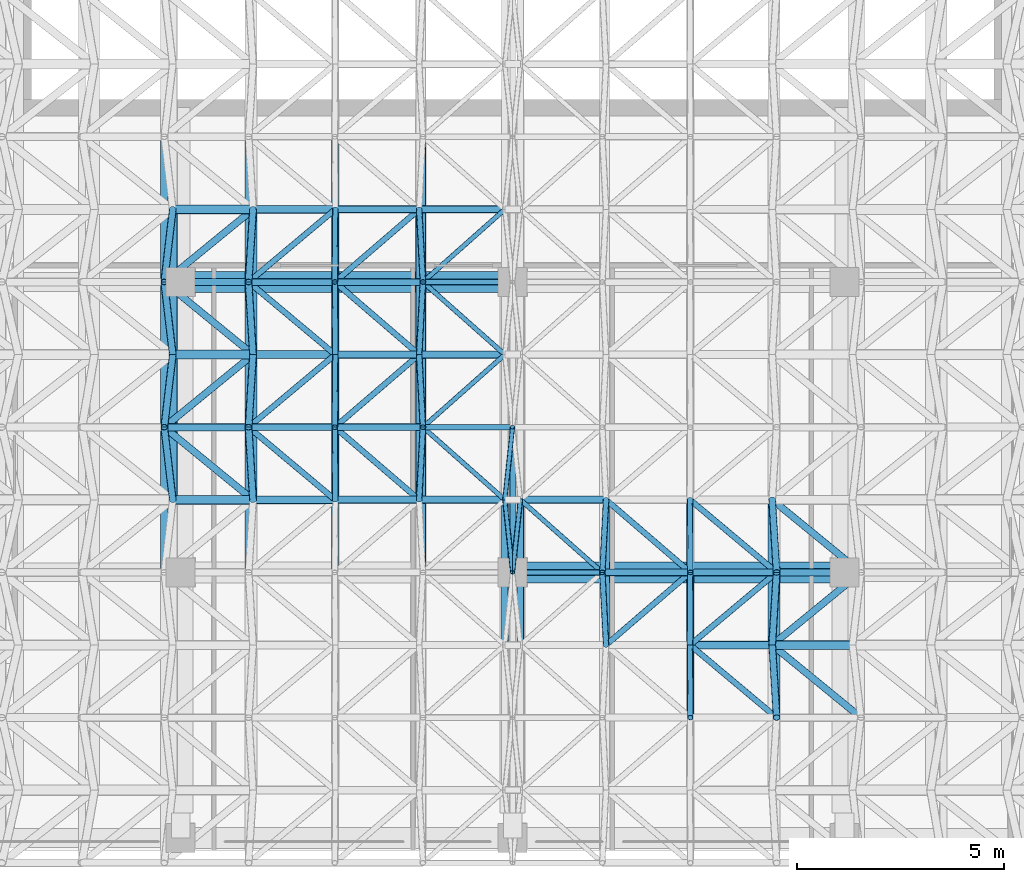
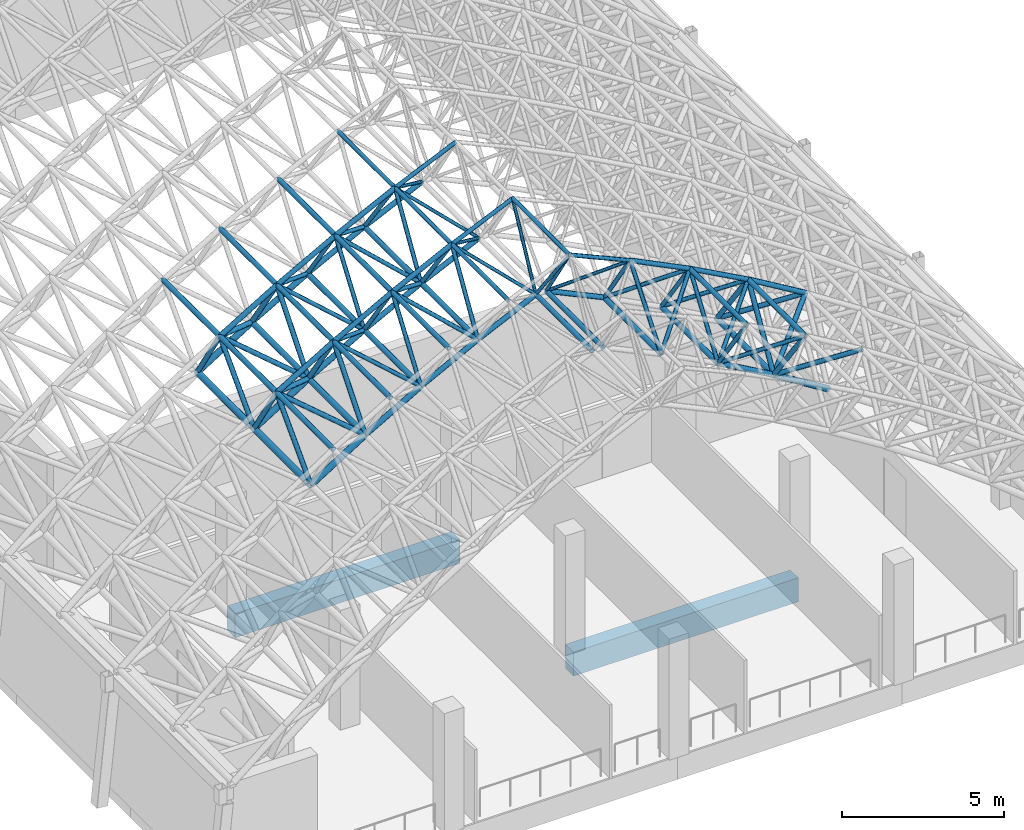
# One storey, part 41 of 141: 107 members, 2 beams.
"""IFC4 building model written with IfcOpenShell, lengths in metres."""

from ifc_helpers import new_model, si_unit, direction, frame, origin, origin_2d, place, context, subcontext, project, spatial, rectangle, hollow_circle, extrude, material, material_profile, profile_set, type_object, element, save


model = new_model("IFC4")

# Units and contexts
model_context = context("Model", 3, precision=1e-05, world=origin(), true_north=direction((0.0, 1.0)))
body_context = subcontext(model_context, "Body", "Model", "MODEL_VIEW")
ifc_project = project(units=[si_unit("LENGTHUNIT", "METRE"), si_unit("AREAUNIT", "SQUARE_METRE"), si_unit("VOLUMEUNIT", "CUBIC_METRE"), si_unit("PLANEANGLEUNIT", "RADIAN"), si_unit("MASSUNIT", "GRAM", prefix="KILO")], contexts=[model_context])

# Site, building, storey
site_placement = place(None, origin())
site = spatial("IfcSite", under=ifc_project, at=site_placement, CompositionType="ELEMENT")
building_placement = place(site_placement, origin())
building = spatial("IfcBuilding", under=site, at=building_placement, Name="Lantern Court Media Centre", CompositionType="ELEMENT")
storey_placement = place(building_placement, frame((0.0, 0.0, 9.60009765625)))
storey = spatial("IfcBuildingStorey", under=building, at=storey_placement, Name="L02", CompositionType="ELEMENT", Elevation=9.60009765625)

# Beams
ifc_material_1 = material(Name="Concrete C35", Category="concrete")
ifc_material_profile_1 = material_profile(ifc_material_1, rectangle(XDim=0.5, YDim=0.89990234375, at=origin_2d()), Name="RC 500x900")
ifc_profile_set_1 = profile_set([ifc_material_profile_1], Name="Concrete C35")
beam_type = type_object("IfcBeamType", Name="RC BEAM 500x900", PredefinedType="BEAM", material=ifc_profile_set_1)
for number, where, z_axis, x_axis, name in (
    (1, (88.0, 5.0, -0.4501953125), (1.0, 0.0, 0.0), (0.0, 1.0, 0.0), "HB-V2-L02-FX1-2"),
    (2, (80.0, 12.0, -0.4501953125), (1.0, 0.0, 0.0), (0.0, 1.0, 0.0), "HB-V2-L02-FX2-1"),
):
    element("IfcBeam", number, at=place(storey_placement, frame(where, z_axis=z_axis, x_axis=x_axis)), inside=storey, type_object=beam_type, Name=name, PredefinedType="BEAM", context=body_context, shape_type="SweptSolid", body=[
        extrude(rectangle(XDim=0.5, YDim=0.89990234375, at=origin_2d()), origin(), (0.0, 0.0, 1.0), 8.0),
    ])

# Members
ifc_material_2 = material(Name="Steel S355J2 (EN 10025-2)", Category="steel")
ifc_material_profile_2 = material_profile(ifc_material_2, hollow_circle(Radius=0.084228515625, WallThickness=0.00634765625, at=origin_2d()), Name="Studio Hall bottom CHS 168.3x6.3")
ifc_profile_set_2 = profile_set([ifc_material_profile_2], Name="Steel S355J2 (EN 10025-2)")
member_type_1 = type_object("IfcMemberType", Name="Studio Hall bottom CHS 168.3x6.3", PredefinedType="CHORD", material=ifc_profile_set_2)
for number, where, z_axis, x_axis, name in (
    (3, (87.812255859375, 3.25, 12.31884765625), (0.0, 1.0, 0.0), (-1.0, 0.0, 0.0), "Studio Hall bottom chord 08-02"),
    (4, (88.187744140625, 3.25, 12.31884765625), (0.0, 1.0, 0.0), (-1.0, 0.0, 0.0), "Studio Hall bottom chord 09-02"),
):
    element("IfcMember", number, at=place(storey_placement, frame(where, z_axis=z_axis, x_axis=x_axis)), inside=storey, type_object=member_type_1, Name=name, PredefinedType="CHORD", context=body_context, shape_type="SweptSolid", body=[
        extrude(hollow_circle(Radius=0.084228515625, WallThickness=0.00634765625, at=origin_2d()), origin(), (0.0, 0.0, 1.0), 3.5),
    ])
ifc_material_profile_3 = material_profile(ifc_material_2, hollow_circle(Radius=0.0888671875, WallThickness=0.008056640625, at=origin_2d()), Name="Studio Hall bottom CHS 177.8x8")
ifc_profile_set_3 = profile_set([ifc_material_profile_3], Name="Steel S355J2 (EN 10025-2)")
member_type_2 = type_object("IfcMemberType", Name="Studio Hall bottom CHS 177.8x8", PredefinedType="CHORD", material=ifc_profile_set_3)
for number, where, z_axis, x_axis, name in (
    (5, (90.251708984375, 3.25, 11.3466796875), (0.0, 1.0, 0.0), (-1.0, 0.0, 0.0), "Studio Hall bottom chord 10-02"),
    (6, (92.275634765625, 3.25, 10.2939453125), (0.0, 1.0, 0.0), (-1.0, 0.0, 0.0), "Studio Hall bottom chord 11-02"),
    (7, (83.724365234375, 6.75, 10.2939453125), (0.0, 1.0, 0.0), (-1.0, 0.0, 0.0), "Studio Hall bottom chord 06-03"),
    (8, (85.748291015625, 6.75, 11.3466796875), (0.0, 1.0, 0.0), (-1.0, 0.0, 0.0), "Studio Hall bottom chord 07-03"),
    (9, (83.724365234375, 10.25, 10.2939453125), (0.0, 1.0, 0.0), (-1.0, 0.0, 0.0), "Studio Hall bottom chord 06-04"),
    (10, (85.748291015625, 10.25, 11.3466796875), (0.0, 1.0, 0.0), (-1.0, 0.0, 0.0), "Studio Hall bottom chord 07-04"),
):
    element("IfcMember", number, at=place(storey_placement, frame(where, z_axis=z_axis, x_axis=x_axis)), inside=storey, type_object=member_type_2, Name=name, PredefinedType="CHORD", context=body_context, shape_type="SweptSolid", body=[
        extrude(hollow_circle(Radius=0.0888671875, WallThickness=0.008056640625, at=origin_2d()), origin(), (0.0, 0.0, 1.0), 3.5),
    ])
member_1_placement = place(storey_placement, frame((83.724365234375, 6.75, 10.2939453125), z_axis=(0.887164230848, 0.0, 0.461453819471), x_axis=(0.0, 1.0, 0.0)))
element("IfcMember", 11, at=member_1_placement, inside=storey, type_object=member_type_2, Name="Studio Hall bottom chord 06-03 across", PredefinedType="CHORD", context=body_context, shape_type="SweptSolid", body=[
    extrude(hollow_circle(Radius=0.0888671875, WallThickness=0.008056640625, at=origin_2d()), origin(), (0.0, 0.0, 1.0), 2.28125),
])
for number, where, z_axis, x_axis, name in (
    (12, (85.748291015625, 6.75, 11.3466796875), (0.904668285171, 0.0, 0.426116526088), (0.0, 1.0, 0.0), "Studio Hall bottom chord 07-03 across"),
    (13, (88.187744140625, 6.75, 12.31884765625), (0.904668285171, 0.0, -0.426116526088), (0.0, 1.0, 0.0), "Studio Hall bottom chord 09-03 across"),
):
    element("IfcMember", number, at=place(storey_placement, frame(where, z_axis=z_axis, x_axis=x_axis)), inside=storey, type_object=member_type_2, Name=name, PredefinedType="CHORD", context=body_context, shape_type="SweptSolid", body=[
        extrude(hollow_circle(Radius=0.0888671875, WallThickness=0.008056640625, at=origin_2d()), origin(), (0.0, 0.0, 1.0), 2.281494140625),
    ])
member_2_placement = place(storey_placement, frame((83.724365234375, 10.25, 10.2939453125), z_axis=(0.887164230848, 0.0, 0.461453819471), x_axis=(0.0, 1.0, 0.0)))
element("IfcMember", 14, at=member_2_placement, inside=storey, type_object=member_type_2, Name="Studio Hall bottom chord 06-04 across", PredefinedType="CHORD", context=body_context, shape_type="SweptSolid", body=[
    extrude(hollow_circle(Radius=0.0888671875, WallThickness=0.008056640625, at=origin_2d()), origin(), (0.0, 0.0, 1.0), 2.28125),
])
member_3_placement = place(storey_placement, frame((85.748291015625, 10.25, 11.3466796875), z_axis=(0.904668285171, 0.0, 0.426116526088), x_axis=(0.0, 1.0, 0.0)))
element("IfcMember", 15, at=member_3_placement, inside=storey, type_object=member_type_2, Name="Studio Hall bottom chord 07-04 across", PredefinedType="CHORD", context=body_context, shape_type="SweptSolid", body=[
    extrude(hollow_circle(Radius=0.0888671875, WallThickness=0.008056640625, at=origin_2d()), origin(), (0.0, 0.0, 1.0), 2.281494140625),
])
member_4_placement = place(storey_placement, frame((83.724365234375, 13.75, 10.2939453125), z_axis=(0.887164230848, 0.0, 0.461453819471), x_axis=(0.0, 1.0, 0.0)))
element("IfcMember", 16, at=member_4_placement, inside=storey, type_object=member_type_2, Name="Studio Hall bottom chord 06-05 across", PredefinedType="CHORD", context=body_context, shape_type="SweptSolid", body=[
    extrude(hollow_circle(Radius=0.0888671875, WallThickness=0.008056640625, at=origin_2d()), origin(), (0.0, 0.0, 1.0), 2.28125),
])
member_5_placement = place(storey_placement, frame((85.748291015625, 13.75, 11.3466796875), z_axis=(0.904668285171, 0.0, 0.426116526088), x_axis=(0.0, 1.0, 0.0)))
element("IfcMember", 17, at=member_5_placement, inside=storey, type_object=member_type_2, Name="Studio Hall bottom chord 07-05 across", PredefinedType="CHORD", context=body_context, shape_type="SweptSolid", body=[
    extrude(hollow_circle(Radius=0.0888671875, WallThickness=0.008056640625, at=origin_2d()), origin(), (0.0, 0.0, 1.0), 2.281494140625),
])
ifc_material_profile_4 = material_profile(ifc_material_2, hollow_circle(Radius=0.096923828125, WallThickness=0.008056640625, at=origin_2d()), Name="Studio Hall bottom CHS 193.7x8")
ifc_profile_set_4 = profile_set([ifc_material_profile_4], Name="Steel S355J2 (EN 10025-2)")
member_type_3 = type_object("IfcMemberType", Name="Studio Hall bottom CHS 193.7x8", PredefinedType="CHORD", material=ifc_profile_set_4)
for number, where, z_axis, x_axis, name in (
    (18, (94.25634765625, 3.25, 9.162109375), (0.0, 1.0, 0.0), (-1.0, 0.0, 0.0), "Studio Hall bottom chord 12-02"),
    (19, (81.74365234375, 6.75, 9.162109375), (0.0, 1.0, 0.0), (-1.0, 0.0, 0.0), "Studio Hall bottom chord 05-03"),
    (20, (81.74365234375, 10.25, 9.162109375), (0.0, 1.0, 0.0), (-1.0, 0.0, 0.0), "Studio Hall bottom chord 05-04"),
):
    element("IfcMember", number, at=place(storey_placement, frame(where, z_axis=z_axis, x_axis=x_axis)), inside=storey, type_object=member_type_3, Name=name, PredefinedType="CHORD", context=body_context, shape_type="SweptSolid", body=[
        extrude(hollow_circle(Radius=0.096923828125, WallThickness=0.008056640625, at=origin_2d()), origin(), (0.0, 0.0, 1.0), 3.5),
    ])
for number, where, z_axis, x_axis, name in (
    (21, (92.275634765625, 3.25, 10.2939453125), (0.868243142124, 0.0, -0.496138938357), (0.0, 1.0, 0.0), "Studio Hall bottom chord 11-02 across"),
    (22, (81.74365234375, 6.75, 9.162109375), (0.868243142124, 0.0, 0.496138938357), (0.0, 1.0, 0.0), "Studio Hall bottom chord 05-03 across"),
    (23, (81.74365234375, 10.25, 9.162109375), (0.868243142124, 0.0, 0.496138938357), (0.0, 1.0, 0.0), "Studio Hall bottom chord 05-04 across"),
    (24, (81.74365234375, 13.75, 9.162109375), (0.868243142124, 0.0, 0.496138938357), (0.0, 1.0, 0.0), "Studio Hall bottom chord 05-05 across"),
):
    element("IfcMember", number, at=place(storey_placement, frame(where, z_axis=z_axis, x_axis=x_axis)), inside=storey, type_object=member_type_3, Name=name, PredefinedType="CHORD", context=body_context, shape_type="SweptSolid", body=[
        extrude(hollow_circle(Radius=0.096923828125, WallThickness=0.008056640625, at=origin_2d()), origin(), (0.0, 0.0, 1.0), 2.28125),
    ])
ifc_material_profile_5 = material_profile(ifc_material_2, hollow_circle(Radius=0.109619140625, WallThickness=0.010009765625, at=origin_2d()), Name="Studio Hall bottom CHS 219.1x10")
ifc_profile_set_5 = profile_set([ifc_material_profile_5], Name="Steel S355J2 (EN 10025-2)")
member_type_4 = type_object("IfcMemberType", Name="Studio Hall bottom CHS 219.1x10", PredefinedType="CHORD", material=ifc_profile_set_5)
for number, where, z_axis, x_axis, name in (
    (25, (79.80908203125, 6.75, 7.953125), (0.0, 1.0, 0.0), (-1.0, 0.0, 0.0), "Studio Hall bottom chord 04-03"),
    (26, (79.80908203125, 10.25, 7.953125), (0.0, 1.0, 0.0), (-1.0, 0.0, 0.0), "Studio Hall bottom chord 04-04"),
):
    element("IfcMember", number, at=place(storey_placement, frame(where, z_axis=z_axis, x_axis=x_axis)), inside=storey, type_object=member_type_4, Name=name, PredefinedType="CHORD", context=body_context, shape_type="SweptSolid", body=[
        extrude(hollow_circle(Radius=0.109619140625, WallThickness=0.010009765625, at=origin_2d()), origin(), (0.0, 0.0, 1.0), 3.5),
    ])
for number, where, z_axis, x_axis, name in (
    (27, (94.25634765625, 3.25, 9.162109375), (0.848022352453, 0.0, -0.529960460544), (0.0, 1.0, 0.0), "Studio Hall bottom chord 12-02 across"),
    (28, (79.80908203125, 6.75, 7.953125), (0.848022352453, 0.0, 0.529960460544), (0.0, 1.0, 0.0), "Studio Hall bottom chord 04-03 across"),
    (29, (79.80908203125, 10.25, 7.953125), (0.848022352453, 0.0, 0.529960460544), (0.0, 1.0, 0.0), "Studio Hall bottom chord 04-04 across"),
    (30, (79.80908203125, 13.75, 7.953125), (0.848022352453, 0.0, 0.529960460544), (0.0, 1.0, 0.0), "Studio Hall bottom chord 04-05 across"),
):
    element("IfcMember", number, at=place(storey_placement, frame(where, z_axis=z_axis, x_axis=x_axis)), inside=storey, type_object=member_type_4, Name=name, PredefinedType="CHORD", context=body_context, shape_type="SweptSolid", body=[
        extrude(hollow_circle(Radius=0.109619140625, WallThickness=0.010009765625, at=origin_2d()), origin(), (0.0, 0.0, 1.0), 2.28125),
    ])
ifc_material_profile_6 = material_profile(ifc_material_2, hollow_circle(Radius=0.05712890625, WallThickness=0.0048828125, at=origin_2d()), Name="Studio Hall diagonal CHS 114.3x5")
ifc_profile_set_6 = profile_set([ifc_material_profile_6], Name="Steel S355J2 (EN 10025-2)")
member_type_5 = type_object("IfcMemberType", Name="Studio Hall diagonal CHS 114.3x5", PredefinedType="BRACE", material=ifc_profile_set_6)
for number, where, z_axis, x_axis, name in (
    (31, (87.812255859375, 6.75, 12.31884765625), (0.061720233377, -0.575306414621, 0.815605996844), (0.994294451035, 0.106670261279, 0.0), "Studio Hall diagonal 08-03-2"),
    (32, (87.812255859375, 6.75, 12.31884765625), (0.061720233377, 0.575306414621, 0.815605996844), (-0.994294451035, 0.106670261279, 0.0), "Studio Hall diagonal 08-03-3"),
):
    element("IfcMember", number, at=place(storey_placement, frame(where, z_axis=z_axis, x_axis=x_axis)), inside=storey, type_object=member_type_5, Name=name, PredefinedType="BRACE", context=body_context, shape_type="SweptSolid", body=[
        extrude(hollow_circle(Radius=0.05712890625, WallThickness=0.0048828125, at=origin_2d()), origin(), (0.0, 0.0, 1.0), 3.041748046875),
    ])
member_6_placement = place(storey_placement, frame((87.812255859375, 6.75, 12.31884765625), z_axis=(-0.64897917405, 0.57530085575, 0.497850335967), x_axis=(-0.663352272412, -0.748307264889, 0.0)))
element("IfcMember", 33, at=member_6_placement, inside=storey, type_object=member_type_5, Name="Studio Hall diagonal 08-03-4", PredefinedType="BRACE", context=body_context, shape_type="SweptSolid", body=[
    extrude(hollow_circle(Radius=0.05712890625, WallThickness=0.0048828125, at=origin_2d()), origin(), (0.0, 0.0, 1.0), 3.0419921875),
])
member_7_placement = place(storey_placement, frame((88.187744140625, 6.75, 12.31884765625), z_axis=(-0.061720233377, -0.575306414621, 0.815605996844), x_axis=(0.994294451035, -0.106670261279, 0.0)))
element("IfcMember", 34, at=member_7_placement, inside=storey, type_object=member_type_5, Name="Studio Hall diagonal 09-03-1", PredefinedType="BRACE", context=body_context, shape_type="SweptSolid", body=[
    extrude(hollow_circle(Radius=0.05712890625, WallThickness=0.0048828125, at=origin_2d()), origin(), (0.0, 0.0, 1.0), 3.041748046875),
])
for number, where, z_axis, x_axis, name in (
    (35, (88.187744140625, 6.75, 12.31884765625), (0.64897917405, -0.57530085575, 0.497850335967), (0.663352272412, 0.748307264889, 0.0), "Studio Hall diagonal 09-03-2"),
    (36, (87.812255859375, 10.25, 12.31884765625), (-0.64897917405, -0.57530085575, 0.497850335967), (0.663352272412, -0.748307264889, 0.0), "Studio Hall diagonal 08-04-1"),
    (37, (87.812255859375, 10.25, 12.31884765625), (-0.64897917405, 0.57530085575, 0.497850335967), (-0.663352272412, -0.748307264889, 0.0), "Studio Hall diagonal 08-04-4"),
    (38, (87.812255859375, 13.75, 12.31884765625), (-0.64897917405, -0.57530085575, 0.497850335967), (0.663352272412, -0.748307264889, 0.0), "Studio Hall diagonal 08-05-1"),
):
    element("IfcMember", number, at=place(storey_placement, frame(where, z_axis=z_axis, x_axis=x_axis)), inside=storey, type_object=member_type_5, Name=name, PredefinedType="BRACE", context=body_context, shape_type="SweptSolid", body=[
        extrude(hollow_circle(Radius=0.05712890625, WallThickness=0.0048828125, at=origin_2d()), origin(), (0.0, 0.0, 1.0), 3.0419921875),
    ])
ifc_material_profile_7 = material_profile(ifc_material_2, hollow_circle(Radius=0.06982421875, WallThickness=0.00634765625, at=origin_2d()), Name="Studio Hall diagonal CHS 139.7x6.3")
ifc_profile_set_7 = profile_set([ifc_material_profile_7], Name="Steel S355J2 (EN 10025-2)")
member_type_6 = type_object("IfcMemberType", Name="Studio Hall diagonal CHS 139.7x6.3", PredefinedType="BRACE", material=ifc_profile_set_7)
for number, where, z_axis, x_axis, name in (
    (39, (90.251708984375, 3.25, 11.3466796875), (0.668074997838, 0.575295721349, 0.471922271419), (-0.652528943422, 0.757763800927, 0.0), "Studio Hall diagonal 10-02-3"),
    (40, (90.251708984375, 3.25, 11.3466796875), (-0.029534674704, 0.575284098581, 0.817420276792), (-0.998684738299, -0.051271761118, 0.0), "Studio Hall diagonal 10-02-4"),
    (41, (92.275634765625, 3.25, 10.2939453125), (0.002728673556, -0.575268589684, 0.817960025957), (0.999988750725, 0.004743250213, 0.0), "Studio Hall diagonal 11-02-1"),
    (42, (92.275634765625, 3.25, 10.2939453125), (0.686219606918, -0.575300835367, 0.445119759061), (0.642456097081, 0.76632249303, 0.0), "Studio Hall diagonal 11-02-2"),
    (43, (92.275634765625, 3.25, 10.2939453125), (0.686219606918, 0.575300835367, 0.445119759061), (-0.642456097081, 0.76632249303, 0.0), "Studio Hall diagonal 11-02-3"),
    (44, (92.275634765625, 3.25, 10.2939453125), (0.002728673556, 0.575268589684, 0.817960025957), (-0.999988750725, 0.004743250213, 0.0), "Studio Hall diagonal 11-02-4"),
    (45, (83.724365234375, 6.75, 10.2939453125), (-0.002728673556, 0.575268589684, 0.817960025957), (-0.999988750725, -0.004743250213, 0.0), "Studio Hall diagonal 06-03-3"),
    (46, (83.724365234375, 6.75, 10.2939453125), (-0.686219606918, 0.575300835367, 0.445119759061), (-0.642456097081, -0.76632249303, 0.0), "Studio Hall diagonal 06-03-4"),
    (47, (85.748291015625, 6.75, 11.3466796875), (0.029534674704, 0.575284098581, 0.817420276792), (-0.998684738299, 0.051271761118, 0.0), "Studio Hall diagonal 07-03-3"),
    (48, (85.748291015625, 6.75, 11.3466796875), (-0.668074997838, 0.575295721349, 0.471922271419), (-0.652528943422, -0.757763800927, 0.0), "Studio Hall diagonal 07-03-4"),
    (49, (90.251708984375, 6.75, 11.3466796875), (-0.029534674704, -0.575284098581, 0.817420276792), (0.998684738299, -0.051271761118, 0.0), "Studio Hall diagonal 10-03-1"),
    (50, (90.251708984375, 6.75, 11.3466796875), (0.668074997838, -0.575295721349, 0.471922271419), (0.652528943422, 0.757763800927, 0.0), "Studio Hall diagonal 10-03-2"),
    (51, (92.275634765625, 6.75, 10.2939453125), (0.002728673556, -0.575268589684, 0.817960025957), (0.999988750725, 0.004743250213, 0.0), "Studio Hall diagonal 11-03-1"),
    (52, (92.275634765625, 6.75, 10.2939453125), (0.686219606918, -0.575300835367, 0.445119759061), (0.642456097081, 0.76632249303, 0.0), "Studio Hall diagonal 11-03-2"),
    (53, (83.724365234375, 10.25, 10.2939453125), (-0.686219606918, -0.575300835367, 0.445119759061), (0.642456097081, -0.76632249303, 0.0), "Studio Hall diagonal 06-04-1"),
    (54, (83.724365234375, 10.25, 10.2939453125), (-0.002728673556, -0.575268589684, 0.817960025957), (0.999988750725, -0.004743250213, 0.0), "Studio Hall diagonal 06-04-2"),
    (55, (83.724365234375, 10.25, 10.2939453125), (-0.002728673556, 0.575268589684, 0.817960025957), (-0.999988750725, -0.004743250213, 0.0), "Studio Hall diagonal 06-04-3"),
    (56, (83.724365234375, 10.25, 10.2939453125), (-0.686219606918, 0.575300835367, 0.445119759061), (-0.642456097081, -0.76632249303, 0.0), "Studio Hall diagonal 06-04-4"),
    (57, (85.748291015625, 10.25, 11.3466796875), (-0.668074997838, -0.575295721349, 0.471922271419), (0.652528943422, -0.757763800927, 0.0), "Studio Hall diagonal 07-04-1"),
    (58, (85.748291015625, 10.25, 11.3466796875), (0.029534674704, -0.575284098581, 0.817420276792), (0.998684738299, 0.051271761118, 0.0), "Studio Hall diagonal 07-04-2"),
    (59, (85.748291015625, 10.25, 11.3466796875), (0.029534674704, 0.575284098581, 0.817420276792), (-0.998684738299, 0.051271761118, 0.0), "Studio Hall diagonal 07-04-3"),
    (60, (85.748291015625, 10.25, 11.3466796875), (-0.668074997838, 0.575295721349, 0.471922271419), (-0.652528943422, -0.757763800927, 0.0), "Studio Hall diagonal 07-04-4"),
    (61, (83.724365234375, 13.75, 10.2939453125), (-0.686219606918, -0.575300835367, 0.445119759061), (0.642456097081, -0.76632249303, 0.0), "Studio Hall diagonal 06-05-1"),
    (62, (83.724365234375, 13.75, 10.2939453125), (-0.002728673556, -0.575268589684, 0.817960025957), (0.999988750725, -0.004743250213, 0.0), "Studio Hall diagonal 06-05-2"),
    (63, (85.748291015625, 13.75, 11.3466796875), (-0.668074997838, -0.575295721349, 0.471922271419), (0.652528943422, -0.757763800927, 0.0), "Studio Hall diagonal 07-05-1"),
    (64, (85.748291015625, 13.75, 11.3466796875), (0.029534674704, -0.575284098581, 0.817420276792), (0.998684738299, 0.051271761118, 0.0), "Studio Hall diagonal 07-05-2"),
):
    element("IfcMember", number, at=place(storey_placement, frame(where, z_axis=z_axis, x_axis=x_axis)), inside=storey, type_object=member_type_6, Name=name, PredefinedType="BRACE", context=body_context, shape_type="SweptSolid", body=[
        extrude(hollow_circle(Radius=0.06982421875, WallThickness=0.00634765625, at=origin_2d()), origin(), (0.0, 0.0, 1.0), 3.0419921875),
    ])
ifc_material_profile_8 = material_profile(ifc_material_2, hollow_circle(Radius=0.084228515625, WallThickness=0.00634765625, at=origin_2d()), Name="Studio Hall diagonal CHS 168.3x6.3")
ifc_profile_set_8 = profile_set([ifc_material_profile_8], Name="Steel S355J2 (EN 10025-2)")
member_type_7 = type_object("IfcMemberType", Name="Studio Hall diagonal CHS 168.3x6.3", PredefinedType="BRACE", material=ifc_profile_set_8)
for number, where, z_axis, x_axis, name in (
    (65, (94.25634765625, 3.25, 9.162109375), (0.035073053804, -0.575294392838, 0.817194127773), (0.99814677432, 0.060852419138, 0.0), "Studio Hall diagonal 12-02-1"),
    (66, (94.25634765625, 3.25, 9.162109375), (0.703225463004, -0.575293325589, 0.417745781207), (0.633189685482, 0.77399665516, 0.0), "Studio Hall diagonal 12-02-2"),
    (67, (94.25634765625, 3.25, 9.162109375), (0.703225463004, 0.575293325589, 0.417745781207), (-0.633189685482, 0.77399665516, 0.0), "Studio Hall diagonal 12-02-3"),
    (68, (94.25634765625, 3.25, 9.162109375), (0.035073053804, 0.575294392838, 0.817194127773), (-0.99814677432, 0.060852419138, 0.0), "Studio Hall diagonal 12-02-4"),
    (69, (81.74365234375, 6.75, 9.162109375), (-0.035073053804, 0.575294392838, 0.817194127773), (-0.99814677432, -0.060852419138, 0.0), "Studio Hall diagonal 05-03-3"),
    (70, (81.74365234375, 6.75, 9.162109375), (-0.703225463004, 0.575293325589, 0.417745781207), (-0.633189685482, -0.77399665516, 0.0), "Studio Hall diagonal 05-03-4"),
    (71, (94.25634765625, 6.75, 9.162109375), (0.035073053804, -0.575294392838, 0.817194127773), (0.99814677432, 0.060852419138, 0.0), "Studio Hall diagonal 12-03-1"),
    (72, (94.25634765625, 6.75, 9.162109375), (0.703225463004, -0.575293325589, 0.417745781207), (0.633189685482, 0.77399665516, 0.0), "Studio Hall diagonal 12-03-2"),
    (73, (81.74365234375, 10.25, 9.162109375), (-0.703225463004, -0.575293325589, 0.417745781207), (0.633189685482, -0.77399665516, 0.0), "Studio Hall diagonal 05-04-1"),
    (74, (81.74365234375, 10.25, 9.162109375), (-0.035073053804, -0.575294392838, 0.817194127773), (0.99814677432, -0.060852419138, 0.0), "Studio Hall diagonal 05-04-2"),
    (75, (81.74365234375, 10.25, 9.162109375), (-0.035073053804, 0.575294392838, 0.817194127773), (-0.99814677432, -0.060852419138, 0.0), "Studio Hall diagonal 05-04-3"),
    (76, (81.74365234375, 10.25, 9.162109375), (-0.703225463004, 0.575293325589, 0.417745781207), (-0.633189685482, -0.77399665516, 0.0), "Studio Hall diagonal 05-04-4"),
    (77, (81.74365234375, 13.75, 9.162109375), (-0.703225463004, -0.575293325589, 0.417745781207), (0.633189685482, -0.77399665516, 0.0), "Studio Hall diagonal 05-05-1"),
    (78, (81.74365234375, 13.75, 9.162109375), (-0.035073053804, -0.575294392838, 0.817194127773), (0.99814677432, -0.060852419138, 0.0), "Studio Hall diagonal 05-05-2"),
):
    element("IfcMember", number, at=place(storey_placement, frame(where, z_axis=z_axis, x_axis=x_axis)), inside=storey, type_object=member_type_7, Name=name, PredefinedType="BRACE", context=body_context, shape_type="SweptSolid", body=[
        extrude(hollow_circle(Radius=0.084228515625, WallThickness=0.00634765625, at=origin_2d()), origin(), (0.0, 0.0, 1.0), 3.0419921875),
    ])
ifc_material_profile_9 = material_profile(ifc_material_2, hollow_circle(Radius=0.084228515625, WallThickness=0.008056640625, at=origin_2d()), Name="Studio Hall diagonal CHS 168.3x8")
ifc_profile_set_9 = profile_set([ifc_material_profile_9], Name="Steel S355J2 (EN 10025-2)")
member_type_8 = type_object("IfcMemberType", Name="Studio Hall diagonal CHS 168.3x8", PredefinedType="BRACE", material=ifc_profile_set_9)
for number, where, z_axis, x_axis, name in (
    (79, (79.80908203125, 6.75, 7.953125), (-0.067256187735, 0.575289204878, 0.815180308865), (-0.993235466132, -0.116117650756, 0.0), "Studio Hall diagonal 04-03-3"),
    (80, (79.80908203125, 10.25, 7.953125), (-0.067256187735, -0.575289204878, 0.815180308865), (0.993235466132, -0.116117650756, 0.0), "Studio Hall diagonal 04-04-2"),
    (81, (79.80908203125, 10.25, 7.953125), (-0.067256187735, 0.575289204878, 0.815180308865), (-0.993235466132, -0.116117650756, 0.0), "Studio Hall diagonal 04-04-3"),
    (82, (79.80908203125, 13.75, 7.953125), (-0.067256187735, -0.575289204878, 0.815180308865), (0.993235466132, -0.116117650756, 0.0), "Studio Hall diagonal 04-05-2"),
):
    element("IfcMember", number, at=place(storey_placement, frame(where, z_axis=z_axis, x_axis=x_axis)), inside=storey, type_object=member_type_8, Name=name, PredefinedType="BRACE", context=body_context, shape_type="SweptSolid", body=[
        extrude(hollow_circle(Radius=0.084228515625, WallThickness=0.008056640625, at=origin_2d()), origin(), (0.0, 0.0, 1.0), 3.0419921875),
    ])
ifc_material_profile_10 = material_profile(ifc_material_2, hollow_circle(Radius=0.06982421875, WallThickness=0.00634765625, at=origin_2d()), Name="Studio Hall top CHS 139.7x6.3")
ifc_profile_set_10 = profile_set([ifc_material_profile_10], Name="Steel S355J2 (EN 10025-2)")
member_type_9 = type_object("IfcMemberType", Name="Studio Hall top CHS 139.7x6.3", PredefinedType="CHORD", material=ifc_profile_set_10)
for number, where, z_axis, x_axis, name in (
    (83, (85.838134765625, 5.0, 13.833251953125), (0.0, 1.0, 0.0), (-1.0, 0.0, 0.0), "Studio Hall top chord 08-03"),
    (84, (88.0, 5.0, 14.7998046875), (0.0, 1.0, 0.0), (-1.0, 0.0, 0.0), "Studio Hall top chord 09-03"),
    (85, (85.838134765625, 8.5, 13.833251953125), (0.0, 1.0, 0.0), (-1.0, 0.0, 0.0), "Studio Hall top chord 08-04"),
    (86, (85.838134765625, 12.0, 13.833251953125), (0.0, 1.0, 0.0), (-1.0, 0.0, 0.0), "Studio Hall top chord 08-05"),
):
    element("IfcMember", number, at=place(storey_placement, frame(where, z_axis=z_axis, x_axis=x_axis)), inside=storey, type_object=member_type_9, Name=name, PredefinedType="CHORD", context=body_context, shape_type="SweptSolid", body=[
        extrude(hollow_circle(Radius=0.06982421875, WallThickness=0.00634765625, at=origin_2d()), origin(), (0.0, 0.0, 1.0), 3.5),
    ])
for number, where, z_axis, x_axis, name in (
    (87, (88.0, 5.0, 14.7998046875), (0.912912280931, 0.0, -0.408155812559), (0.0, 1.0, 0.0), "Studio Hall top chord 09-03 across"),
    (88, (85.838134765625, 8.5, 13.833251953125), (0.912912280931, 0.0, 0.408155812559), (0.0, 1.0, 0.0), "Studio Hall top chord 08-04 across"),
    (89, (85.838134765625, 12.0, 13.833251953125), (0.912912280931, 0.0, 0.408155812559), (0.0, 1.0, 0.0), "Studio Hall top chord 08-05 across"),
):
    element("IfcMember", number, at=place(storey_placement, frame(where, z_axis=z_axis, x_axis=x_axis)), inside=storey, type_object=member_type_9, Name=name, PredefinedType="CHORD", context=body_context, shape_type="SweptSolid", body=[
        extrude(hollow_circle(Radius=0.06982421875, WallThickness=0.00634765625, at=origin_2d()), origin(), (0.0, 0.0, 1.0), 2.3681640625),
    ])
ifc_material_profile_11 = material_profile(ifc_material_2, hollow_circle(Radius=0.084228515625, WallThickness=0.00634765625, at=origin_2d()), Name="Studio Hall top CHS 168.3x6.3")
ifc_profile_set_11 = profile_set([ifc_material_profile_11], Name="Steel S355J2 (EN 10025-2)")
member_type_10 = type_object("IfcMemberType", Name="Studio Hall top CHS 168.3x6.3", PredefinedType="CHORD", material=ifc_profile_set_11)
for number, where, z_axis, x_axis, name in (
    (90, (92.283935546875, 1.5, 12.7822265625), (0.0, 1.0, 0.0), (-1.0, 0.0, 0.0), "Studio Hall top chord 11-02"),
    (91, (94.363037109375, 1.5, 11.64794921875), (0.0, 1.0, 0.0), (-1.0, 0.0, 0.0), "Studio Hall top chord 12-02"),
    (92, (81.636962890625, 5.0, 11.64794921875), (0.0, 1.0, 0.0), (-1.0, 0.0, 0.0), "Studio Hall top chord 06-03"),
    (93, (83.716064453125, 5.0, 12.7822265625), (0.0, 1.0, 0.0), (-1.0, 0.0, 0.0), "Studio Hall top chord 07-03"),
    (94, (81.636962890625, 8.5, 11.64794921875), (0.0, 1.0, 0.0), (-1.0, 0.0, 0.0), "Studio Hall top chord 06-04"),
    (95, (83.716064453125, 8.5, 12.7822265625), (0.0, 1.0, 0.0), (-1.0, 0.0, 0.0), "Studio Hall top chord 07-04"),
    (96, (81.636962890625, 12.0, 11.64794921875), (0.0, 1.0, 0.0), (-1.0, 0.0, 0.0), "Studio Hall top chord 06-05"),
    (97, (83.716064453125, 12.0, 12.7822265625), (0.0, 1.0, 0.0), (-1.0, 0.0, 0.0), "Studio Hall top chord 07-05"),
):
    element("IfcMember", number, at=place(storey_placement, frame(where, z_axis=z_axis, x_axis=x_axis)), inside=storey, type_object=member_type_10, Name=name, PredefinedType="CHORD", context=body_context, shape_type="SweptSolid", body=[
        extrude(hollow_circle(Radius=0.084228515625, WallThickness=0.00634765625, at=origin_2d()), origin(), (0.0, 0.0, 1.0), 3.5),
    ])
member_8_placement = place(storey_placement, frame((90.161865234375, 5.0, 13.833251953125), z_axis=(0.89611157523, 0.0, -0.443828846222), x_axis=(0.0, 1.0, 0.0)))
element("IfcMember", 98, at=member_8_placement, inside=storey, type_object=member_type_10, Name="Studio Hall top chord 10-03 across", PredefinedType="CHORD", context=body_context, shape_type="SweptSolid", body=[
    extrude(hollow_circle(Radius=0.084228515625, WallThickness=0.00634765625, at=origin_2d()), origin(), (0.0, 0.0, 1.0), 2.3681640625),
])
for number, where, z_axis, x_axis, name in (
    (99, (92.283935546875, 5.0, 12.7822265625), (0.877856175106, 0.0, -0.478924352929), (0.0, 1.0, 0.0), "Studio Hall top chord 11-03 across"),
    (100, (81.636962890625, 8.5, 11.64794921875), (0.877856175106, 0.0, 0.478924352929), (0.0, 1.0, 0.0), "Studio Hall top chord 06-04 across"),
):
    element("IfcMember", number, at=place(storey_placement, frame(where, z_axis=z_axis, x_axis=x_axis)), inside=storey, type_object=member_type_10, Name=name, PredefinedType="CHORD", context=body_context, shape_type="SweptSolid", body=[
        extrude(hollow_circle(Radius=0.084228515625, WallThickness=0.00634765625, at=origin_2d()), origin(), (0.0, 0.0, 1.0), 2.368408203125),
    ])
member_9_placement = place(storey_placement, frame((83.716064453125, 8.5, 12.7822265625), z_axis=(0.89611157523, 0.0, 0.443828846222), x_axis=(0.0, 1.0, 0.0)))
element("IfcMember", 101, at=member_9_placement, inside=storey, type_object=member_type_10, Name="Studio Hall top chord 07-04 across", PredefinedType="CHORD", context=body_context, shape_type="SweptSolid", body=[
    extrude(hollow_circle(Radius=0.084228515625, WallThickness=0.00634765625, at=origin_2d()), origin(), (0.0, 0.0, 1.0), 2.3681640625),
])
member_10_placement = place(storey_placement, frame((81.636962890625, 12.0, 11.64794921875), z_axis=(0.877856175106, 0.0, 0.478924352929), x_axis=(0.0, 1.0, 0.0)))
element("IfcMember", 102, at=member_10_placement, inside=storey, type_object=member_type_10, Name="Studio Hall top chord 06-05 across", PredefinedType="CHORD", context=body_context, shape_type="SweptSolid", body=[
    extrude(hollow_circle(Radius=0.084228515625, WallThickness=0.00634765625, at=origin_2d()), origin(), (0.0, 0.0, 1.0), 2.368408203125),
])
member_11_placement = place(storey_placement, frame((83.716064453125, 12.0, 12.7822265625), z_axis=(0.89611157523, 0.0, 0.443828846222), x_axis=(0.0, 1.0, 0.0)))
element("IfcMember", 103, at=member_11_placement, inside=storey, type_object=member_type_10, Name="Studio Hall top chord 07-05 across", PredefinedType="CHORD", context=body_context, shape_type="SweptSolid", body=[
    extrude(hollow_circle(Radius=0.084228515625, WallThickness=0.00634765625, at=origin_2d()), origin(), (0.0, 0.0, 1.0), 2.3681640625),
])
ifc_material_profile_12 = material_profile(ifc_material_2, hollow_circle(Radius=0.0888671875, WallThickness=0.008056640625, at=origin_2d()), Name="Studio Hall top CHS 177.8x8")
ifc_profile_set_12 = profile_set([ifc_material_profile_12], Name="Steel S355J2 (EN 10025-2)")
member_type_11 = type_object("IfcMemberType", Name="Studio Hall top CHS 177.8x8", PredefinedType="CHORD", material=ifc_profile_set_12)
for number, where, z_axis, x_axis, name in (
    (104, (79.6044921875, 5.0, 10.432861328125), (0.0, 1.0, 0.0), (-1.0, 0.0, 0.0), "Studio Hall top chord 05-03"),
    (105, (79.6044921875, 8.5, 10.432861328125), (0.0, 1.0, 0.0), (-1.0, 0.0, 0.0), "Studio Hall top chord 05-04"),
    (106, (79.6044921875, 12.0, 10.432861328125), (0.0, 1.0, 0.0), (-1.0, 0.0, 0.0), "Studio Hall top chord 05-05"),
):
    element("IfcMember", number, at=place(storey_placement, frame(where, z_axis=z_axis, x_axis=x_axis)), inside=storey, type_object=member_type_11, Name=name, PredefinedType="CHORD", context=body_context, shape_type="SweptSolid", body=[
        extrude(hollow_circle(Radius=0.0888671875, WallThickness=0.008056640625, at=origin_2d()), origin(), (0.0, 0.0, 1.0), 3.5),
    ])
for number, where, z_axis, x_axis, name in (
    (107, (94.363037109375, 5.0, 11.64794921875), (0.858310578199, 0.0, -0.513130540264), (0.0, 1.0, 0.0), "Studio Hall top chord 12-03 across"),
    (108, (79.6044921875, 8.5, 10.432861328125), (0.858310578199, 0.0, 0.513130540264), (0.0, 1.0, 0.0), "Studio Hall top chord 05-04 across"),
    (109, (79.6044921875, 12.0, 10.432861328125), (0.858310578199, 0.0, 0.513130540264), (0.0, 1.0, 0.0), "Studio Hall top chord 05-05 across"),
):
    element("IfcMember", number, at=place(storey_placement, frame(where, z_axis=z_axis, x_axis=x_axis)), inside=storey, type_object=member_type_11, Name=name, PredefinedType="CHORD", context=body_context, shape_type="SweptSolid", body=[
        extrude(hollow_circle(Radius=0.0888671875, WallThickness=0.008056640625, at=origin_2d()), origin(), (0.0, 0.0, 1.0), 2.367919921875),
    ])

save(model, "model.ifc")
